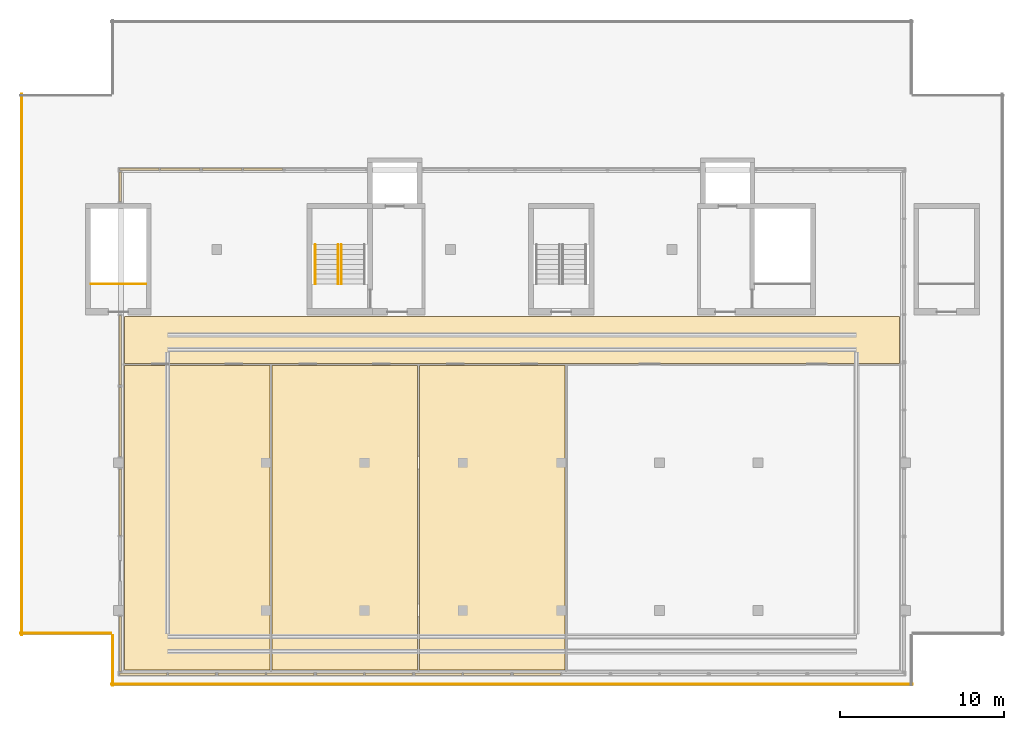
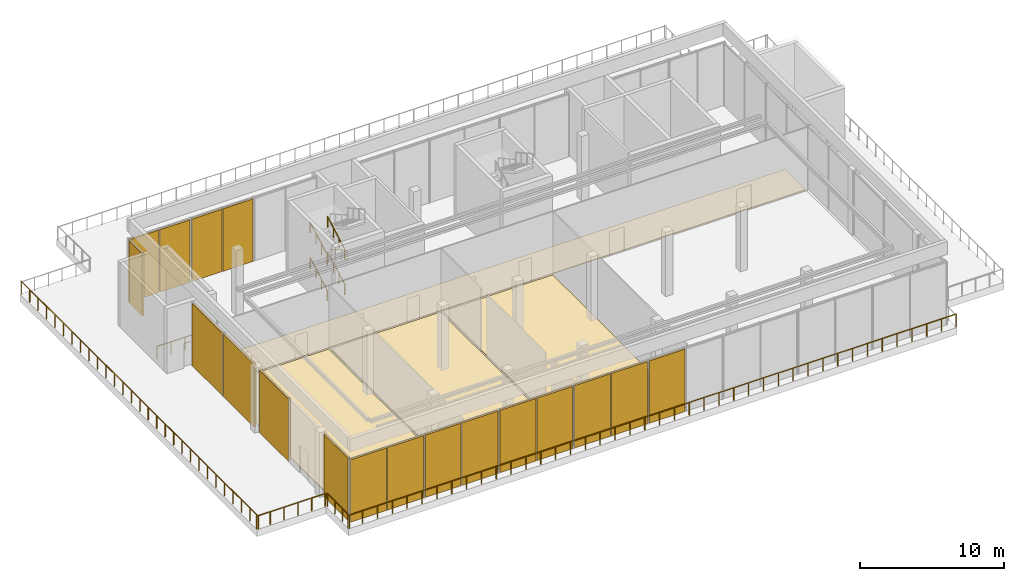
# One storey, part 9 of 11: 18 shading devices, 10 railings, 4 coverings, 13 elements without a shape of their own.
"""IFC4 building model written with IfcOpenShell, lengths in metres."""

from ifc_helpers import new_model, si_unit, direction, frame, origin, origin_2d, place, context, subcontext, project, spatial, polyline, rectangle, circle, outline, extrude, material, layer, layer_set, type_object, element, aggregate, save


model = new_model("IFC4")

# Units and contexts
model_context = context("Model", 3, precision=1e-05, world=origin(), true_north=direction((0.0, 1.0)))
body_context = subcontext(model_context, "Body", "Model", "MODEL_VIEW")
ifc_project = project(units=[si_unit("LENGTHUNIT", "METRE"), si_unit("AREAUNIT", "SQUARE_METRE"), si_unit("VOLUMEUNIT", "CUBIC_METRE"), si_unit("PLANEANGLEUNIT", "RADIAN"), si_unit("MASSUNIT", "GRAM", prefix="KILO")], contexts=[model_context])

# Site, building, storey
site_placement = place(None, origin())
site = spatial("IfcSite", under=ifc_project, at=site_placement, CompositionType="ELEMENT")
building_placement = place(site_placement, origin())
building = spatial("IfcBuilding", under=site, at=building_placement, Name="Calvaro Tower", CompositionType="ELEMENT")
storey_placement = place(building_placement, frame((0.0, 0.0, 271.949951171875)))
storey = spatial("IfcBuildingStorey", under=building, at=storey_placement, Name="L68", CompositionType="ELEMENT", Elevation=271.949951171875)

# Coverings
ifc_material_1 = material(Name="Cement screed with carpet tile finish")
ifc_layer_1 = layer(ifc_material_1, 0.050048828125)
ifc_layer_set_1 = layer_set([ifc_layer_1], Name="Cement screed with carpet tile finish")
covering_type = type_object("IfcCoveringType", Name="Floor finish 50", PredefinedType="FLOORING", material=ifc_layer_set_1)
covering_1_placement = place(storey_placement, origin())
element("IfcCovering", 1, at=covering_1_placement, inside=storey, type_object=covering_type, Name="Floor finish 40.01", PredefinedType="FLOORING", context=body_context, shape_type="SweptSolid", body=[
    extrude(outline(polyline([(59.6298828125, 25.070068359375), (12.3701171875, 25.070068359375), (12.3701171875, 27.929931640625), (59.6298828125, 27.929931640625), (59.6298828125, 25.070068359375)])), origin(), (0.0, 0.0, 1.0), 0.050048828125),
])
covering_2_placement = place(storey_placement, origin())
element("IfcCovering", 2, at=covering_2_placement, inside=storey, type_object=covering_type, Name="Floor finish 40.03", PredefinedType="FLOORING", context=body_context, shape_type="SweptSolid", body=[
    extrude(outline(polyline([(21.22998046875, 24.929931640625), (21.22998046875, 6.3701171875), (12.3701171875, 6.3701171875), (12.3701171875, 24.929931640625), (21.22998046875, 24.929931640625)])), origin(), (0.0, 0.0, 1.0), 0.050048828125),
])
covering_3_placement = place(storey_placement, origin())
element("IfcCovering", 3, at=covering_3_placement, inside=storey, type_object=covering_type, Name="Floor finish 40.04", PredefinedType="FLOORING", context=body_context, shape_type="SweptSolid", body=[
    extrude(outline(polyline([(21.3701171875, 24.929931640625), (30.22998046875, 24.929931640625), (30.22998046875, 6.3701171875), (21.3701171875, 6.3701171875), (21.3701171875, 24.929931640625)])), origin(), (0.0, 0.0, 1.0), 0.050048828125),
])
covering_4_placement = place(storey_placement, origin())
element("IfcCovering", 4, at=covering_4_placement, inside=storey, type_object=covering_type, Name="Floor finish 40.02", PredefinedType="FLOORING", context=body_context, shape_type="SweptSolid", body=[
    extrude(outline(polyline([(30.3701171875, 24.929931640625), (39.22998046875, 24.929931640625), (39.22998046875, 6.3701171875), (30.3701171875, 6.3701171875), (30.3701171875, 24.929931640625)])), origin(), (0.0, 0.0, 1.0), 0.050048828125),
])

# Railings
ifc_material_2 = material(Name="Stainless steel", Category="steel")
railing_type_1 = type_object("IfcRailingType", Name="Guard 1100", PredefinedType="GUARDRAIL", material=ifc_material_2)
railing_1_placement = place(storey_placement, frame((60.449951171875, 5.5, 0.0)))
element("IfcRailing", 5, at=railing_1_placement, inside=storey, type_object=railing_type_1, Name="Deck guard", PredefinedType="GUARDRAIL", context=body_context, shape_type="SweptSolid", body=[
    extrude(circle(Radius=0.02392578125, at=origin_2d()), frame((0.0, 0.0, 1.076171875), z_axis=(-1.0, 0.0, 0.0), x_axis=(0.0, -1.0, 0.0)), (0.0, 0.0, 1.0), 48.89990234375),
    extrude(circle(Radius=0.02099609375, at=origin_2d()), frame((-0.02099609375, 0.0, 0.0)), (0.0, 0.0, 1.0), 1.052001953125),
    extrude(circle(Radius=0.02099609375, at=origin_2d()), frame((-1.192626953125, 0.0, 0.0)), (0.0, 0.0, 1.0), 1.052001953125),
    extrude(circle(Radius=0.02099609375, at=origin_2d()), frame((-2.38525390625, 0.0, 0.0)), (0.0, 0.0, 1.0), 1.052001953125),
    extrude(circle(Radius=0.02099609375, at=origin_2d()), frame((-3.578125, 0.0, 0.0)), (0.0, 0.0, 1.0), 1.052001953125),
    extrude(circle(Radius=0.02099609375, at=origin_2d()), frame((-4.770751953125, 0.0, 0.0)), (0.0, 0.0, 1.0), 1.052001953125),
    extrude(circle(Radius=0.02099609375, at=origin_2d()), frame((-5.96337890625, 0.0, 0.0)), (0.0, 0.0, 1.0), 1.052001953125),
    extrude(circle(Radius=0.02099609375, at=origin_2d()), frame((-7.156005859375, 0.0, 0.0)), (0.0, 0.0, 1.0), 1.052001953125),
    extrude(circle(Radius=0.02099609375, at=origin_2d()), frame((-8.348876953125, 0.0, 0.0)), (0.0, 0.0, 1.0), 1.052001953125),
    extrude(circle(Radius=0.02099609375, at=origin_2d()), frame((-9.54150390625, 0.0, 0.0)), (0.0, 0.0, 1.0), 1.052001953125),
    extrude(circle(Radius=0.02099609375, at=origin_2d()), frame((-10.734130859375, 0.0, 0.0)), (0.0, 0.0, 1.0), 1.052001953125),
    extrude(circle(Radius=0.02099609375, at=origin_2d()), frame((-11.9267578125, 0.0, 0.0)), (0.0, 0.0, 1.0), 1.052001953125),
    extrude(circle(Radius=0.02099609375, at=origin_2d()), frame((-13.119384765625, 0.0, 0.0)), (0.0, 0.0, 1.0), 1.052001953125),
    extrude(circle(Radius=0.02099609375, at=origin_2d()), frame((-14.312255859375, 0.0, 0.0)), (0.0, 0.0, 1.0), 1.052001953125),
    extrude(circle(Radius=0.02099609375, at=origin_2d()), frame((-15.5048828125, 0.0, 0.0)), (0.0, 0.0, 1.0), 1.052001953125),
    extrude(circle(Radius=0.02099609375, at=origin_2d()), frame((-16.697509765625, 0.0, 0.0)), (0.0, 0.0, 1.0), 1.052001953125),
    extrude(circle(Radius=0.02099609375, at=origin_2d()), frame((-17.89013671875, 0.0, 0.0)), (0.0, 0.0, 1.0), 1.052001953125),
    extrude(circle(Radius=0.02099609375, at=origin_2d()), frame((-19.0830078125, 0.0, 0.0)), (0.0, 0.0, 1.0), 1.052001953125),
    extrude(circle(Radius=0.02099609375, at=origin_2d()), frame((-20.275634765625, 0.0, 0.0)), (0.0, 0.0, 1.0), 1.052001953125),
    extrude(circle(Radius=0.02099609375, at=origin_2d()), frame((-21.46826171875, 0.0, 0.0)), (0.0, 0.0, 1.0), 1.052001953125),
    extrude(circle(Radius=0.02099609375, at=origin_2d()), frame((-22.660888671875, 0.0, 0.0)), (0.0, 0.0, 1.0), 1.052001953125),
    extrude(circle(Radius=0.02099609375, at=origin_2d()), frame((-23.853515625, 0.0, 0.0)), (0.0, 0.0, 1.0), 1.052001953125),
    extrude(circle(Radius=0.02099609375, at=origin_2d()), frame((-25.04638671875, 0.0, 0.0)), (0.0, 0.0, 1.0), 1.052001953125),
    extrude(circle(Radius=0.02099609375, at=origin_2d()), frame((-26.239013671875, 0.0, 0.0)), (0.0, 0.0, 1.0), 1.052001953125),
    extrude(circle(Radius=0.02099609375, at=origin_2d()), frame((-27.431640625, 0.0, 0.0)), (0.0, 0.0, 1.0), 1.052001953125),
    extrude(circle(Radius=0.02099609375, at=origin_2d()), frame((-28.624267578125, 0.0, 0.0)), (0.0, 0.0, 1.0), 1.052001953125),
    extrude(circle(Radius=0.02099609375, at=origin_2d()), frame((-29.81689453125, 0.0, 0.0)), (0.0, 0.0, 1.0), 1.052001953125),
    extrude(circle(Radius=0.02099609375, at=origin_2d()), frame((-31.009765625, 0.0, 0.0)), (0.0, 0.0, 1.0), 1.052001953125),
    extrude(circle(Radius=0.02099609375, at=origin_2d()), frame((-32.202392578125, 0.0, 0.0)), (0.0, 0.0, 1.0), 1.052001953125),
    extrude(circle(Radius=0.02099609375, at=origin_2d()), frame((-33.39501953125, 0.0, 0.0)), (0.0, 0.0, 1.0), 1.052001953125),
    extrude(circle(Radius=0.02099609375, at=origin_2d()), frame((-34.587646484375, 0.0, 0.0)), (0.0, 0.0, 1.0), 1.052001953125),
    extrude(circle(Radius=0.02099609375, at=origin_2d()), frame((-35.780517578125, 0.0, 0.0)), (0.0, 0.0, 1.0), 1.052001953125),
    extrude(circle(Radius=0.02099609375, at=origin_2d()), frame((-36.97314453125, 0.0, 0.0)), (0.0, 0.0, 1.0), 1.052001953125),
    extrude(circle(Radius=0.02099609375, at=origin_2d()), frame((-38.165771484375, 0.0, 0.0)), (0.0, 0.0, 1.0), 1.052001953125),
    extrude(circle(Radius=0.02099609375, at=origin_2d()), frame((-39.3583984375, 0.0, 0.0)), (0.0, 0.0, 1.0), 1.052001953125),
    extrude(circle(Radius=0.02099609375, at=origin_2d()), frame((-40.551025390625, 0.0, 0.0)), (0.0, 0.0, 1.0), 1.052001953125),
    extrude(circle(Radius=0.02099609375, at=origin_2d()), frame((-41.743896484375, 0.0, 0.0)), (0.0, 0.0, 1.0), 1.052001953125),
    extrude(circle(Radius=0.02099609375, at=origin_2d()), frame((-42.9365234375, 0.0, 0.0)), (0.0, 0.0, 1.0), 1.052001953125),
    extrude(circle(Radius=0.02099609375, at=origin_2d()), frame((-44.129150390625, 0.0, 0.0)), (0.0, 0.0, 1.0), 1.052001953125),
    extrude(circle(Radius=0.02099609375, at=origin_2d()), frame((-45.32177734375, 0.0, 0.0)), (0.0, 0.0, 1.0), 1.052001953125),
    extrude(circle(Radius=0.02099609375, at=origin_2d()), frame((-46.5146484375, 0.0, 0.0)), (0.0, 0.0, 1.0), 1.052001953125),
    extrude(circle(Radius=0.02099609375, at=origin_2d()), frame((-47.707275390625, 0.0, 0.0)), (0.0, 0.0, 1.0), 1.052001953125),
    extrude(circle(Radius=0.02099609375, at=origin_2d()), frame((-48.87890625, 0.0, 0.0)), (0.0, 0.0, 1.0), 1.052001953125),
])
railing_2_placement = place(storey_placement, frame((11.64990234375, 5.39990234375, 0.0)))
element("IfcRailing", 6, at=railing_2_placement, inside=storey, type_object=railing_type_1, Name="Deck guard", PredefinedType="GUARDRAIL", context=body_context, shape_type="SweptSolid", body=[
    extrude(circle(Radius=0.02392578125, at=origin_2d()), frame((0.0, 0.0, 1.076171875), z_axis=(0.0, 1.0, 0.0), x_axis=(-1.0, 0.0, 0.0)), (0.0, 0.0, 1.0), 3.10009765625),
    extrude(circle(Radius=0.02099609375, at=origin_2d()), frame((0.0, 0.02099609375, 0.0)), (0.0, 0.0, 1.0), 1.052001953125),
    extrude(circle(Radius=0.02099609375, at=origin_2d()), frame((0.0, 1.033447265625, 0.0)), (0.0, 0.0, 1.0), 1.052001953125),
    extrude(circle(Radius=0.02099609375, at=origin_2d()), frame((0.0, 2.066650390625, 0.0)), (0.0, 0.0, 1.0), 1.052001953125),
    extrude(circle(Radius=0.02099609375, at=origin_2d()), frame((0.0, 3.0791015625, 0.0)), (0.0, 0.0, 1.0), 1.052001953125),
])
railing_3_placement = place(storey_placement, frame((11.550048828125, 8.60009765625, 0.0)))
element("IfcRailing", 7, at=railing_3_placement, inside=storey, type_object=railing_type_1, Name="Deck guard", PredefinedType="GUARDRAIL", context=body_context, shape_type="SweptSolid", body=[
    extrude(circle(Radius=0.02392578125, at=origin_2d()), frame((0.0, 0.0, 1.076171875), z_axis=(-1.0, 0.0, 0.0), x_axis=(0.0, -1.0, 0.0)), (0.0, 0.0, 1.0), 5.550048828125),
    extrude(circle(Radius=0.02099609375, at=origin_2d()), frame((-0.02099609375, 0.0, 0.0)), (0.0, 0.0, 1.0), 1.052001953125),
    extrude(circle(Radius=0.02099609375, at=origin_2d()), frame((-1.110107421875, 0.0, 0.0)), (0.0, 0.0, 1.0), 1.052001953125),
    extrude(circle(Radius=0.02099609375, at=origin_2d()), frame((-2.219970703125, 0.0, 0.0)), (0.0, 0.0, 1.0), 1.052001953125),
    extrude(circle(Radius=0.02099609375, at=origin_2d()), frame((-3.330078125, 0.0, 0.0)), (0.0, 0.0, 1.0), 1.052001953125),
    extrude(circle(Radius=0.02099609375, at=origin_2d()), frame((-4.43994140625, 0.0, 0.0)), (0.0, 0.0, 1.0), 1.052001953125),
    extrude(circle(Radius=0.02099609375, at=origin_2d()), frame((-5.529052734375, 0.0, 0.0)), (0.0, 0.0, 1.0), 1.052001953125),
])
railing_4_placement = place(storey_placement, frame((6.10009765625, 8.5, 0.0)))
element("IfcRailing", 8, at=railing_4_placement, inside=storey, type_object=railing_type_1, Name="Deck guard", PredefinedType="GUARDRAIL", context=body_context, shape_type="SweptSolid", body=[
    extrude(circle(Radius=0.02392578125, at=origin_2d()), frame((0.0, 0.0, 1.076171875), z_axis=(0.0, 1.0, 0.0), x_axis=(-1.0, 0.0, 0.0)), (0.0, 0.0, 1.0), 33.0),
    extrude(circle(Radius=0.02099609375, at=origin_2d()), frame((0.0, 0.02099609375, 0.0)), (0.0, 0.0, 1.0), 1.052001953125),
    extrude(circle(Radius=0.02099609375, at=origin_2d()), frame((0.0, 1.178466796875, 0.0)), (0.0, 0.0, 1.0), 1.052001953125),
    extrude(circle(Radius=0.02099609375, at=origin_2d()), frame((0.0, 2.357177734375, 0.0)), (0.0, 0.0, 1.0), 1.052001953125),
    extrude(circle(Radius=0.02099609375, at=origin_2d()), frame((0.0, 3.53564453125, 0.0)), (0.0, 0.0, 1.0), 1.052001953125),
    extrude(circle(Radius=0.02099609375, at=origin_2d()), frame((0.0, 4.71435546875, 0.0)), (0.0, 0.0, 1.0), 1.052001953125),
    extrude(circle(Radius=0.02099609375, at=origin_2d()), frame((0.0, 5.892822265625, 0.0)), (0.0, 0.0, 1.0), 1.052001953125),
    extrude(circle(Radius=0.02099609375, at=origin_2d()), frame((0.0, 7.071533203125, 0.0)), (0.0, 0.0, 1.0), 1.052001953125),
    extrude(circle(Radius=0.02099609375, at=origin_2d()), frame((0.0, 8.25, 0.0)), (0.0, 0.0, 1.0), 1.052001953125),
    extrude(circle(Radius=0.02099609375, at=origin_2d()), frame((0.0, 9.428466796875, 0.0)), (0.0, 0.0, 1.0), 1.052001953125),
    extrude(circle(Radius=0.02099609375, at=origin_2d()), frame((0.0, 10.607177734375, 0.0)), (0.0, 0.0, 1.0), 1.052001953125),
    extrude(circle(Radius=0.02099609375, at=origin_2d()), frame((0.0, 11.78564453125, 0.0)), (0.0, 0.0, 1.0), 1.052001953125),
    extrude(circle(Radius=0.02099609375, at=origin_2d()), frame((0.0, 12.96435546875, 0.0)), (0.0, 0.0, 1.0), 1.052001953125),
    extrude(circle(Radius=0.02099609375, at=origin_2d()), frame((0.0, 14.142822265625, 0.0)), (0.0, 0.0, 1.0), 1.052001953125),
    extrude(circle(Radius=0.02099609375, at=origin_2d()), frame((0.0, 15.321533203125, 0.0)), (0.0, 0.0, 1.0), 1.052001953125),
    extrude(circle(Radius=0.02099609375, at=origin_2d()), frame((0.0, 16.5, 0.0)), (0.0, 0.0, 1.0), 1.052001953125),
    extrude(circle(Radius=0.02099609375, at=origin_2d()), frame((0.0, 17.678466796875, 0.0)), (0.0, 0.0, 1.0), 1.052001953125),
    extrude(circle(Radius=0.02099609375, at=origin_2d()), frame((0.0, 18.857177734375, 0.0)), (0.0, 0.0, 1.0), 1.052001953125),
    extrude(circle(Radius=0.02099609375, at=origin_2d()), frame((0.0, 20.03564453125, 0.0)), (0.0, 0.0, 1.0), 1.052001953125),
    extrude(circle(Radius=0.02099609375, at=origin_2d()), frame((0.0, 21.21435546875, 0.0)), (0.0, 0.0, 1.0), 1.052001953125),
    extrude(circle(Radius=0.02099609375, at=origin_2d()), frame((0.0, 22.392822265625, 0.0)), (0.0, 0.0, 1.0), 1.052001953125),
    extrude(circle(Radius=0.02099609375, at=origin_2d()), frame((0.0, 23.571533203125, 0.0)), (0.0, 0.0, 1.0), 1.052001953125),
    extrude(circle(Radius=0.02099609375, at=origin_2d()), frame((0.0, 24.75, 0.0)), (0.0, 0.0, 1.0), 1.052001953125),
    extrude(circle(Radius=0.02099609375, at=origin_2d()), frame((0.0, 25.928466796875, 0.0)), (0.0, 0.0, 1.0), 1.052001953125),
    extrude(circle(Radius=0.02099609375, at=origin_2d()), frame((0.0, 27.107177734375, 0.0)), (0.0, 0.0, 1.0), 1.052001953125),
    extrude(circle(Radius=0.02099609375, at=origin_2d()), frame((0.0, 28.28564453125, 0.0)), (0.0, 0.0, 1.0), 1.052001953125),
    extrude(circle(Radius=0.02099609375, at=origin_2d()), frame((0.0, 29.46435546875, 0.0)), (0.0, 0.0, 1.0), 1.052001953125),
    extrude(circle(Radius=0.02099609375, at=origin_2d()), frame((0.0, 30.642822265625, 0.0)), (0.0, 0.0, 1.0), 1.052001953125),
    extrude(circle(Radius=0.02099609375, at=origin_2d()), frame((0.0, 31.821533203125, 0.0)), (0.0, 0.0, 1.0), 1.052001953125),
    extrude(circle(Radius=0.02099609375, at=origin_2d()), frame((0.0, 32.97900390625, 0.0)), (0.0, 0.0, 1.0), 1.052001953125),
])

# Curtain wall, shading devices
ifc_material_3 = material(Name="Anodised aluminium", Category="aluminium")
curtain_wall_type = type_object("IfcCurtainWallType", Name="Louvre wall", PredefinedType="NOTDEFINED", material=ifc_material_3)
curtain_wall_1_placement = place(storey_placement, origin())
curtain_wall_1 = element("IfcCurtainWall", 9, at=curtain_wall_1_placement, inside=storey, type_object=curtain_wall_type, Name="CW8 drum louvre wall", PredefinedType="NOTDEFINED")
ifc_material_4 = material(Name="Aluminium", Category="aluminium")
ifc_layer_2 = layer(ifc_material_4, 0.14990234375)
ifc_layer_set_2 = layer_set([ifc_layer_2], Name="Aluminium")
shading_device_type = type_object("IfcShadingDeviceType", Name="Louvre panel LV 150", PredefinedType="JALOUSIE", material=ifc_layer_set_2)
shading_device_1_placement = place(storey_placement, frame((13.52001953125, 6.10009765625, 0.0), z_axis=(0.0, 0.0, 1.0), x_axis=(1.0, 0.0, 0.0)))
shading_device_1 = element("IfcShadingDevice", 10, at=shading_device_1_placement, type_object=shading_device_type, Name="CW8 louvre panel 1.1", PredefinedType="JALOUSIE", context=body_context, shape_type="SweptSolid", body=[
    extrude(rectangle(XDim=2.8798828125, YDim=0.14990234375, at=origin_2d()), origin(), (0.0, 0.0, 1.0), 5.300048828125),
])
shading_device_2_placement = place(storey_placement, frame((16.47998046875, 6.10009765625, 0.0), z_axis=(0.0, 0.0, 1.0), x_axis=(1.0, 0.0, 0.0)))
shading_device_2 = element("IfcShadingDevice", 11, at=shading_device_2_placement, type_object=shading_device_type, Name="CW8 louvre panel 2.1", PredefinedType="JALOUSIE", context=body_context, shape_type="SweptSolid", body=[
    extrude(rectangle(XDim=2.8798828125, YDim=0.14990234375, at=origin_2d()), origin(), (0.0, 0.0, 1.0), 5.300048828125),
])
aggregate(curtain_wall_1, [shading_device_1, shading_device_2])

curtain_wall_2_placement = place(storey_placement, origin())
curtain_wall_2 = element("IfcCurtainWall", 12, at=curtain_wall_2_placement, inside=storey, type_object=curtain_wall_type, Name="CW8 drum louvre wall", PredefinedType="NOTDEFINED")
shading_device_3_placement = place(storey_placement, frame((19.52001953125, 6.10009765625, 0.0), z_axis=(0.0, 0.0, 1.0), x_axis=(1.0, 0.0, 0.0)))
shading_device_3 = element("IfcShadingDevice", 13, at=shading_device_3_placement, type_object=shading_device_type, Name="CW8 louvre panel 1.1", PredefinedType="JALOUSIE", context=body_context, shape_type="SweptSolid", body=[
    extrude(rectangle(XDim=2.8798828125, YDim=0.14990234375, at=origin_2d()), origin(), (0.0, 0.0, 1.0), 5.300048828125),
])
shading_device_4_placement = place(storey_placement, frame((22.47998046875, 6.10009765625, 0.0), z_axis=(0.0, 0.0, 1.0), x_axis=(1.0, 0.0, 0.0)))
shading_device_4 = element("IfcShadingDevice", 14, at=shading_device_4_placement, type_object=shading_device_type, Name="CW8 louvre panel 2.1", PredefinedType="JALOUSIE", context=body_context, shape_type="SweptSolid", body=[
    extrude(rectangle(XDim=2.8798828125, YDim=0.14990234375, at=origin_2d()), origin(), (0.0, 0.0, 1.0), 5.300048828125),
])
aggregate(curtain_wall_2, [shading_device_3, shading_device_4])

curtain_wall_3_placement = place(storey_placement, origin())
curtain_wall_3 = element("IfcCurtainWall", 15, at=curtain_wall_3_placement, inside=storey, type_object=curtain_wall_type, Name="CW8 drum louvre wall", PredefinedType="NOTDEFINED")
shading_device_5_placement = place(storey_placement, frame((25.52001953125, 6.10009765625, 0.0), z_axis=(0.0, 0.0, 1.0), x_axis=(1.0, 0.0, 0.0)))
shading_device_5 = element("IfcShadingDevice", 16, at=shading_device_5_placement, type_object=shading_device_type, Name="CW8 louvre panel 1.1", PredefinedType="JALOUSIE", context=body_context, shape_type="SweptSolid", body=[
    extrude(rectangle(XDim=2.8798828125, YDim=0.14990234375, at=origin_2d()), origin(), (0.0, 0.0, 1.0), 5.300048828125),
])
shading_device_6_placement = place(storey_placement, frame((28.47998046875, 6.10009765625, 0.0), z_axis=(0.0, 0.0, 1.0), x_axis=(1.0, 0.0, 0.0)))
shading_device_6 = element("IfcShadingDevice", 17, at=shading_device_6_placement, type_object=shading_device_type, Name="CW8 louvre panel 2.1", PredefinedType="JALOUSIE", context=body_context, shape_type="SweptSolid", body=[
    extrude(rectangle(XDim=2.8798828125, YDim=0.14990234375, at=origin_2d()), origin(), (0.0, 0.0, 1.0), 5.300048828125),
])
aggregate(curtain_wall_3, [shading_device_5, shading_device_6])

curtain_wall_4_placement = place(storey_placement, origin())
curtain_wall_4 = element("IfcCurtainWall", 18, at=curtain_wall_4_placement, inside=storey, type_object=curtain_wall_type, Name="CW8 drum louvre wall", PredefinedType="NOTDEFINED")
shading_device_7_placement = place(storey_placement, frame((31.52001953125, 6.10009765625, 0.0), z_axis=(0.0, 0.0, 1.0), x_axis=(1.0, 0.0, 0.0)))
shading_device_7 = element("IfcShadingDevice", 19, at=shading_device_7_placement, type_object=shading_device_type, Name="CW8 louvre panel 1.1", PredefinedType="JALOUSIE", context=body_context, shape_type="SweptSolid", body=[
    extrude(rectangle(XDim=2.8798828125, YDim=0.14990234375, at=origin_2d()), origin(), (0.0, 0.0, 1.0), 5.300048828125),
])
shading_device_8_placement = place(storey_placement, frame((34.47998046875, 6.10009765625, 0.0), z_axis=(0.0, 0.0, 1.0), x_axis=(1.0, 0.0, 0.0)))
shading_device_8 = element("IfcShadingDevice", 20, at=shading_device_8_placement, type_object=shading_device_type, Name="CW8 louvre panel 2.1", PredefinedType="JALOUSIE", context=body_context, shape_type="SweptSolid", body=[
    extrude(rectangle(XDim=2.8798828125, YDim=0.14990234375, at=origin_2d()), origin(), (0.0, 0.0, 1.0), 5.300048828125),
])
aggregate(curtain_wall_4, [shading_device_7, shading_device_8])

# Curtain wall, shading device
curtain_wall_5_placement = place(storey_placement, origin())
curtain_wall_5 = element("IfcCurtainWall", 21, at=curtain_wall_5_placement, inside=storey, type_object=curtain_wall_type, Name="CW8 drum louvre wall", PredefinedType="NOTDEFINED")
shading_device_9_placement = place(storey_placement, frame((37.52001953125, 6.10009765625, 0.0), z_axis=(0.0, 0.0, 1.0), x_axis=(1.0, 0.0, 0.0)))
shading_device_9 = element("IfcShadingDevice", 22, at=shading_device_9_placement, type_object=shading_device_type, Name="CW8 louvre panel 1.1", PredefinedType="JALOUSIE", context=body_context, shape_type="SweptSolid", body=[
    extrude(rectangle(XDim=2.8798828125, YDim=0.14990234375, at=origin_2d()), origin(), (0.0, 0.0, 1.0), 5.300048828125),
])
aggregate(curtain_wall_5, [shading_device_9])

# Curtain wall, shading devices
curtain_wall_6_placement = place(storey_placement, origin())
curtain_wall_6 = element("IfcCurtainWall", 23, at=curtain_wall_6_placement, inside=storey, type_object=curtain_wall_type, Name="CW8 drum louvre wall", PredefinedType="NOTDEFINED")
shading_device_10_placement = place(storey_placement, frame((13.282470703125, 36.89990234375, 0.0), z_axis=(0.0, 0.0, 1.0), x_axis=(1.0, 0.0, 0.0)))
shading_device_10 = element("IfcShadingDevice", 24, at=shading_device_10_placement, type_object=shading_device_type, Name="CW8 louvre panel 1.1", PredefinedType="JALOUSIE", context=body_context, shape_type="SweptSolid", body=[
    extrude(rectangle(XDim=2.405029296875, YDim=0.14990234375, at=origin_2d()), origin(), (0.0, 0.0, 1.0), 5.300048828125),
])
shading_device_11_placement = place(storey_placement, frame((15.767578125, 36.89990234375, 0.0), z_axis=(0.0, 0.0, 1.0), x_axis=(1.0, 0.0, 0.0)))
shading_device_11 = element("IfcShadingDevice", 25, at=shading_device_11_placement, type_object=shading_device_type, Name="CW8 louvre panel 2.1", PredefinedType="JALOUSIE", context=body_context, shape_type="SweptSolid", body=[
    extrude(rectangle(XDim=2.405029296875, YDim=0.14990234375, at=origin_2d()), origin(), (0.0, 0.0, 1.0), 5.300048828125),
])
aggregate(curtain_wall_6, [shading_device_10, shading_device_11])

curtain_wall_7_placement = place(storey_placement, origin())
curtain_wall_7 = element("IfcCurtainWall", 26, at=curtain_wall_7_placement, inside=storey, type_object=curtain_wall_type, Name="CW8 drum louvre wall", PredefinedType="NOTDEFINED")
shading_device_12_placement = place(storey_placement, frame((18.33251953125, 36.89990234375, 0.0), z_axis=(0.0, 0.0, 1.0), x_axis=(1.0, 0.0, 0.0)))
shading_device_12 = element("IfcShadingDevice", 27, at=shading_device_12_placement, type_object=shading_device_type, Name="CW8 louvre panel 1.1", PredefinedType="JALOUSIE", context=body_context, shape_type="SweptSolid", body=[
    extrude(rectangle(XDim=2.405029296875, YDim=0.14990234375, at=origin_2d()), origin(), (0.0, 0.0, 1.0), 5.300048828125),
])
shading_device_13_placement = place(storey_placement, frame((20.8173828125, 36.89990234375, 0.0), z_axis=(0.0, 0.0, 1.0), x_axis=(1.0, 0.0, 0.0)))
shading_device_13 = element("IfcShadingDevice", 28, at=shading_device_13_placement, type_object=shading_device_type, Name="CW8 louvre panel 2.1", PredefinedType="JALOUSIE", context=body_context, shape_type="SweptSolid", body=[
    extrude(rectangle(XDim=2.405029296875, YDim=0.14990234375, at=origin_2d()), origin(), (0.0, 0.0, 1.0), 5.300048828125),
])
aggregate(curtain_wall_7, [shading_device_12, shading_device_13])

# Curtain wall, shading device
curtain_wall_8_placement = place(storey_placement, origin())
curtain_wall_8 = element("IfcCurtainWall", 29, at=curtain_wall_8_placement, inside=storey, type_object=curtain_wall_type, Name="CW8 drum louvre wall", PredefinedType="NOTDEFINED")
shading_device_14_placement = place(storey_placement, frame((12.10009765625, 7.949951171875, 0.0), z_axis=(0.0, 0.0, 1.0), x_axis=(0.0, 1.0, 0.0)))
shading_device_14 = element("IfcShadingDevice", 30, at=shading_device_14_placement, type_object=shading_device_type, Name="CW8 louvre panel 1.1", PredefinedType="JALOUSIE", context=body_context, shape_type="SweptSolid", body=[
    extrude(rectangle(XDim=3.340087890625, YDim=0.14990234375, at=origin_2d()), origin(), (0.0, 0.0, 1.0), 5.300048828125),
])
aggregate(curtain_wall_8, [shading_device_14])

curtain_wall_9_placement = place(storey_placement, origin())
curtain_wall_9 = element("IfcCurtainWall", 31, at=curtain_wall_9_placement, inside=storey, type_object=curtain_wall_type, Name="CW8 drum louvre wall", PredefinedType="NOTDEFINED")
shading_device_15_placement = place(storey_placement, frame((12.10009765625, 16.60009765625, 0.0), z_axis=(0.0, 0.0, 1.0), x_axis=(0.0, 1.0, 0.0)))
shading_device_15 = element("IfcShadingDevice", 32, at=shading_device_15_placement, type_object=shading_device_type, Name="CW8 louvre panel 1.1", PredefinedType="JALOUSIE", context=body_context, shape_type="SweptSolid", body=[
    extrude(rectangle(XDim=4.0400390625, YDim=0.14990234375, at=origin_2d()), origin(), (0.0, 0.0, 1.0), 5.300048828125),
])
aggregate(curtain_wall_9, [shading_device_15])

curtain_wall_10_placement = place(storey_placement, origin())
curtain_wall_10 = element("IfcCurtainWall", 33, at=curtain_wall_10_placement, inside=storey, type_object=curtain_wall_type, Name="CW8 drum louvre wall", PredefinedType="NOTDEFINED")
shading_device_16_placement = place(storey_placement, frame((12.10009765625, 21.487548828125, 0.0), z_axis=(0.0, 0.0, 1.0), x_axis=(0.0, 1.0, 0.0)))
shading_device_16 = element("IfcShadingDevice", 34, at=shading_device_16_placement, type_object=shading_device_type, Name="CW8 louvre panel 1.1", PredefinedType="JALOUSIE", context=body_context, shape_type="SweptSolid", body=[
    extrude(rectangle(XDim=4.215087890625, YDim=0.14990234375, at=origin_2d()), origin(), (0.0, 0.0, 1.0), 5.300048828125),
])
aggregate(curtain_wall_10, [shading_device_16])

curtain_wall_11_placement = place(storey_placement, origin())
curtain_wall_11 = element("IfcCurtainWall", 35, at=curtain_wall_11_placement, inside=storey, type_object=curtain_wall_type, Name="CW8 drum louvre wall", PredefinedType="NOTDEFINED")
shading_device_17_placement = place(storey_placement, frame((12.10009765625, 25.862548828125, 0.0), z_axis=(0.0, 0.0, 1.0), x_axis=(0.0, 1.0, 0.0)))
shading_device_17 = element("IfcShadingDevice", 36, at=shading_device_17_placement, type_object=shading_device_type, Name="CW8 louvre panel 1.1", PredefinedType="JALOUSIE", context=body_context, shape_type="SweptSolid", body=[
    extrude(rectangle(XDim=4.215087890625, YDim=0.14990234375, at=origin_2d()), origin(), (0.0, 0.0, 1.0), 5.300048828125),
])
aggregate(curtain_wall_11, [shading_device_17])

curtain_wall_12_placement = place(storey_placement, origin())
curtain_wall_12 = element("IfcCurtainWall", 37, at=curtain_wall_12_placement, inside=storey, type_object=curtain_wall_type, Name="CW8 drum louvre wall", PredefinedType="NOTDEFINED")
shading_device_18_placement = place(storey_placement, frame((12.10009765625, 35.824951171875, 0.0), z_axis=(0.0, 0.0, 1.0), x_axis=(0.0, 1.0, 0.0)))
shading_device_18 = element("IfcShadingDevice", 38, at=shading_device_18_placement, type_object=shading_device_type, Name="CW8 louvre panel 1.1", PredefinedType="JALOUSIE", context=body_context, shape_type="SweptSolid", body=[
    extrude(rectangle(XDim=1.7900390625, YDim=0.14990234375, at=origin_2d()), origin(), (0.0, 0.0, 1.0), 5.300048828125),
])
aggregate(curtain_wall_12, [shading_device_18])

# Stair, railings
ifc_material_5 = material(Name="Concrete C40/50", Category="concrete")
stair_type = type_object("IfcStairType", Name="Exit stair 1400 4 flights", PredefinedType="DOUBLE_RETURN_STAIR", material=ifc_material_5)
stair_placement = place(storey_placement, origin())
stair = element("IfcStair", 39, at=stair_placement, inside=storey, type_object=stair_type, Name="Exit stair S2", PredefinedType="DOUBLE_RETURN_STAIR")
ifc_material_6 = material(Name="Stainless steel", Category="steel")
railing_type_2 = type_object("IfcRailingType", Name="Stair handrail", PredefinedType="HANDRAIL", material=ifc_material_6)
railing_5_placement = place(storey_placement, frame((25.39990234375, 29.89990234375, 0.166748046875)))
railing_5 = element("IfcRailing", 40, at=railing_5_placement, type_object=railing_type_2, Name="Exit stair 2 handrail", PredefinedType="HANDRAIL", context=body_context, shape_type="SweptSolid", body=[
    extrude(circle(Radius=0.02392578125, at=origin_2d()), frame((0.0, 0.0, 0.8759765625), z_axis=(0.0, 0.874182441271, 0.485597631145), x_axis=(-1.0, 0.0, 0.0)), (0.0, 0.0, 1.0), 2.74560546875),
    extrude(circle(Radius=0.02099609375, at=origin_2d()), frame((0.0, 0.018310546875, 0.01025390625)), (0.0, 0.0, 1.0), 0.851806640625),
    extrude(circle(Radius=0.02099609375, at=origin_2d()), frame((0.0, 0.800048828125, 0.4443359375)), (0.0, 0.0, 1.0), 0.851806640625),
    extrude(circle(Radius=0.02099609375, at=origin_2d()), frame((0.0, 1.60009765625, 0.888916015625)), (0.0, 0.0, 1.0), 0.851806640625),
    extrude(circle(Radius=0.02099609375, at=origin_2d()), frame((0.0, 2.3818359375, 1.322998046875)), (0.0, 0.0, 1.0), 0.851806640625),
])
railing_6_placement = place(storey_placement, frame((24.0, 29.89990234375, 0.166748046875)))
railing_6 = element("IfcRailing", 41, at=railing_6_placement, type_object=railing_type_2, Name="Exit stair 2 handrail", PredefinedType="HANDRAIL", context=body_context, shape_type="SweptSolid", body=[
    extrude(circle(Radius=0.02392578125, at=origin_2d()), frame((0.0, 0.0, 0.8759765625), z_axis=(0.0, 0.874182441271, 0.485597631145), x_axis=(-1.0, 0.0, 0.0)), (0.0, 0.0, 1.0), 2.74560546875),
    extrude(circle(Radius=0.02099609375, at=origin_2d()), frame((0.0, 0.018310546875, 0.01025390625)), (0.0, 0.0, 1.0), 0.851806640625),
    extrude(circle(Radius=0.02099609375, at=origin_2d()), frame((0.0, 0.800048828125, 0.4443359375)), (0.0, 0.0, 1.0), 0.851806640625),
    extrude(circle(Radius=0.02099609375, at=origin_2d()), frame((0.0, 1.60009765625, 0.888916015625)), (0.0, 0.0, 1.0), 0.851806640625),
    extrude(circle(Radius=0.02099609375, at=origin_2d()), frame((0.0, 2.3818359375, 1.322998046875)), (0.0, 0.0, 1.0), 0.851806640625),
])
railing_7_placement = place(storey_placement, frame((25.60009765625, 32.300048828125, 1.666748046875)))
railing_7 = element("IfcRailing", 42, at=railing_7_placement, type_object=railing_type_2, Name="Exit stair 2 handrail", PredefinedType="HANDRAIL", context=body_context, shape_type="SweptSolid", body=[
    extrude(circle(Radius=0.02392578125, at=origin_2d()), frame((0.0, 0.0, 0.8759765625), z_axis=(0.0, -0.874182441271, 0.485597631145), x_axis=(1.0, 0.0, 0.0)), (0.0, 0.0, 1.0), 2.74560546875),
    extrude(circle(Radius=0.02099609375, at=origin_2d()), frame((0.0, -0.018310546875, 0.01025390625)), (0.0, 0.0, 1.0), 0.851806640625),
    extrude(circle(Radius=0.02099609375, at=origin_2d()), frame((0.0, -0.800048828125, 0.4443359375)), (0.0, 0.0, 1.0), 0.851806640625),
    extrude(circle(Radius=0.02099609375, at=origin_2d()), frame((0.0, -1.60009765625, 0.888916015625)), (0.0, 0.0, 1.0), 0.851806640625),
    extrude(circle(Radius=0.02099609375, at=origin_2d()), frame((0.0, -2.3818359375, 1.322998046875)), (0.0, 0.0, 1.0), 0.851806640625),
])
railing_8_placement = place(storey_placement, frame((25.39990234375, 29.89990234375, 3.166748046875)))
railing_8 = element("IfcRailing", 43, at=railing_8_placement, type_object=railing_type_2, Name="Exit stair 2 handrail", PredefinedType="HANDRAIL", context=body_context, shape_type="SweptSolid", body=[
    extrude(circle(Radius=0.02392578125, at=origin_2d()), frame((0.0, 0.0, 0.8759765625), z_axis=(0.0, 0.874182441271, 0.485597631145), x_axis=(-1.0, 0.0, 0.0)), (0.0, 0.0, 1.0), 2.74560546875),
    extrude(circle(Radius=0.02099609375, at=origin_2d()), frame((0.0, 0.018310546875, 0.01025390625)), (0.0, 0.0, 1.0), 0.851806640625),
    extrude(circle(Radius=0.02099609375, at=origin_2d()), frame((0.0, 0.800048828125, 0.4443359375)), (0.0, 0.0, 1.0), 0.851806640625),
    extrude(circle(Radius=0.02099609375, at=origin_2d()), frame((0.0, 1.60009765625, 0.888916015625)), (0.0, 0.0, 1.0), 0.851806640625),
    extrude(circle(Radius=0.02099609375, at=origin_2d()), frame((0.0, 2.3818359375, 1.322998046875)), (0.0, 0.0, 1.0), 0.851806640625),
])
railing_9_placement = place(storey_placement, frame((24.0, 29.89990234375, 3.166748046875)))
railing_9 = element("IfcRailing", 44, at=railing_9_placement, type_object=railing_type_2, Name="Exit stair 2 handrail", PredefinedType="HANDRAIL", context=body_context, shape_type="SweptSolid", body=[
    extrude(circle(Radius=0.02392578125, at=origin_2d()), frame((0.0, 0.0, 0.8759765625), z_axis=(0.0, 0.874182441271, 0.485597631145), x_axis=(-1.0, 0.0, 0.0)), (0.0, 0.0, 1.0), 2.74560546875),
    extrude(circle(Radius=0.02099609375, at=origin_2d()), frame((0.0, 0.018310546875, 0.01025390625)), (0.0, 0.0, 1.0), 0.851806640625),
    extrude(circle(Radius=0.02099609375, at=origin_2d()), frame((0.0, 0.800048828125, 0.4443359375)), (0.0, 0.0, 1.0), 0.851806640625),
    extrude(circle(Radius=0.02099609375, at=origin_2d()), frame((0.0, 1.60009765625, 0.888916015625)), (0.0, 0.0, 1.0), 0.851806640625),
    extrude(circle(Radius=0.02099609375, at=origin_2d()), frame((0.0, 2.3818359375, 1.322998046875)), (0.0, 0.0, 1.0), 0.851806640625),
])
aggregate(stair, [railing_5, railing_6, railing_7, railing_8, railing_9])

# Railing
ifc_material_7 = material(Name="Stainless steel", Category="steel")
railing_type_3 = type_object("IfcRailingType", Name="Stair top guard", PredefinedType="GUARDRAIL", material=ifc_material_7)
railing_10_placement = place(storey_placement, frame((10.300048828125, 29.89990234375, 0.0)))
element("IfcRailing", 45, at=railing_10_placement, inside=storey, type_object=railing_type_3, Name="Exit stair 1 top guard", PredefinedType="GUARDRAIL", context=body_context, shape_type="SweptSolid", body=[
    extrude(circle(Radius=0.02392578125, at=origin_2d()), frame((0.0, 0.0, 1.076171875), z_axis=(1.0, 0.0, 0.0), x_axis=(0.0, 1.0, 0.0)), (0.0, 0.0, 1.0), 3.39990234375),
    extrude(circle(Radius=0.02099609375, at=origin_2d()), frame((0.02099609375, 0.0, 0.0)), (0.0, 0.0, 1.0), 1.052001953125),
    extrude(circle(Radius=0.02099609375, at=origin_2d()), frame((1.13330078125, 0.0, 0.0)), (0.0, 0.0, 1.0), 1.052001953125),
    extrude(circle(Radius=0.02099609375, at=origin_2d()), frame((2.2666015625, 0.0, 0.0)), (0.0, 0.0, 1.0), 1.052001953125),
    extrude(circle(Radius=0.02099609375, at=origin_2d()), frame((3.37890625, 0.0, 0.0)), (0.0, 0.0, 1.0), 1.052001953125),
])

save(model, "model.ifc")
